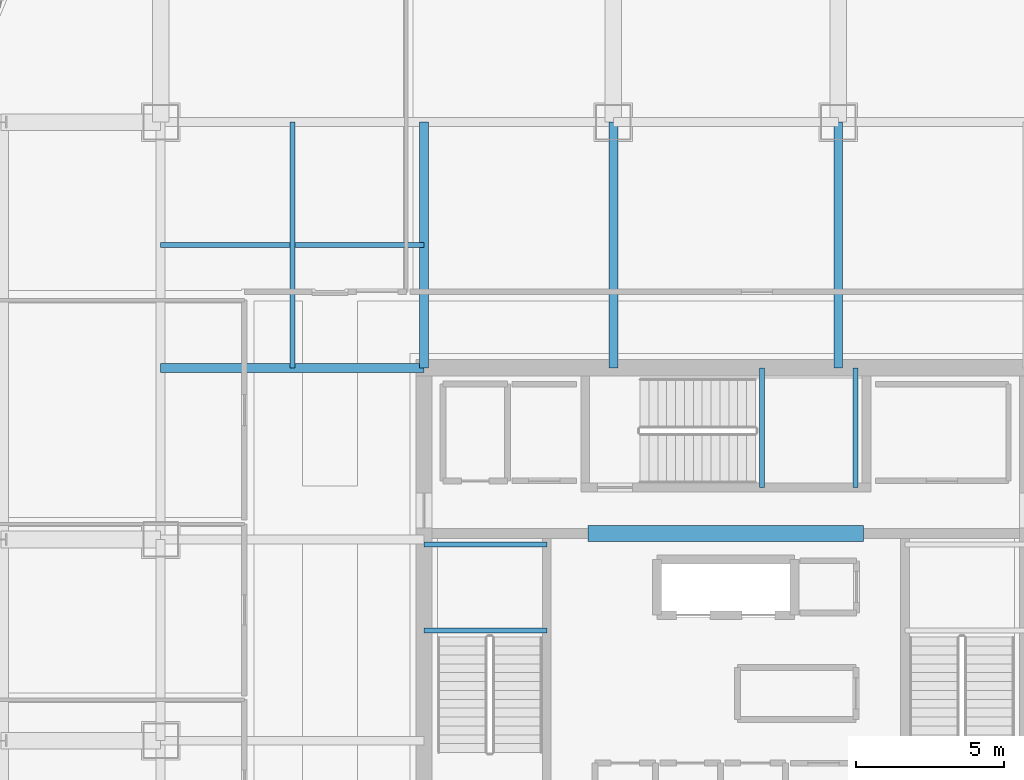
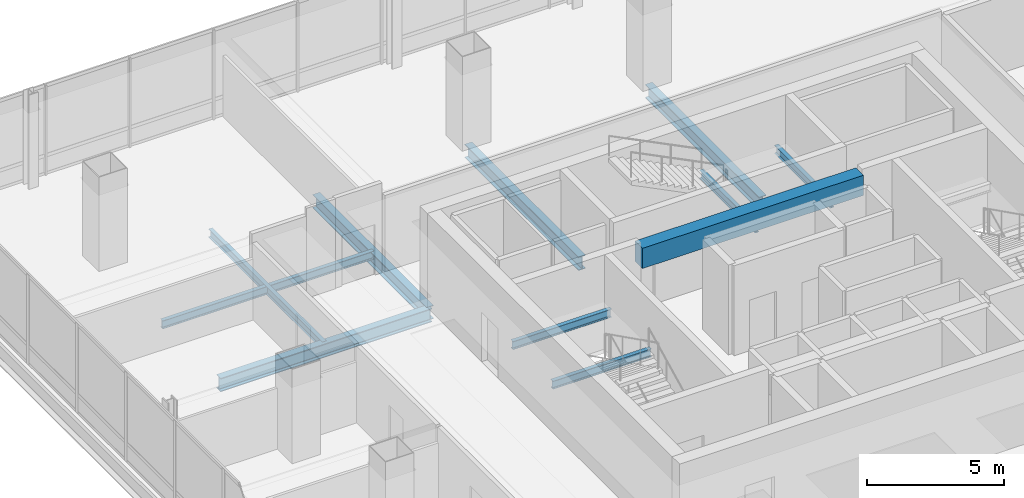
# One storey, part 14 of 42: 11 beams.
"""IFC4 building model written with IfcOpenShell, lengths in metres."""

from ifc_helpers import new_model, si_unit, direction, frame, origin, origin_2d, place, context, subcontext, project, spatial, rectangle, i_section, extrude, material, material_profile, profile_set, type_object, element, save


model = new_model("IFC4")

# Units and contexts
model_context = context("Model", 3, precision=1e-05, world=origin(), true_north=direction((0.0, 1.0)))
body_context = subcontext(model_context, "Body", "Model", "MODEL_VIEW")
ifc_project = project(units=[si_unit("LENGTHUNIT", "METRE"), si_unit("AREAUNIT", "SQUARE_METRE"), si_unit("VOLUMEUNIT", "CUBIC_METRE"), si_unit("PLANEANGLEUNIT", "RADIAN"), si_unit("MASSUNIT", "GRAM", prefix="KILO")], contexts=[model_context])

# Site, building, storey
site_placement = place(None, origin())
site = spatial("IfcSite", under=ifc_project, at=site_placement, CompositionType="ELEMENT")
building_placement = place(site_placement, origin())
building = spatial("IfcBuilding", under=site, at=building_placement, Name="Punatoya Terracotta Tower", CompositionType="ELEMENT")
storey_placement = place(building_placement, frame((0.0, 0.0, 296.39990234375)))
storey = spatial("IfcBuildingStorey", under=building, at=storey_placement, Name="L70", CompositionType="ELEMENT", Elevation=296.39990234375)

# Beams
ifc_material_1 = material(Name="Steel S355", Category="steel")
ifc_material_profile_1 = material_profile(ifc_material_1, i_section(OverallWidth=0.300048828125, OverallDepth=0.60009765625, WebThickness=0.015380859375, FlangeThickness=0.030029296875, FilletRadius=0.01806640625, at=origin_2d()))
ifc_profile_set_1 = profile_set([ifc_material_profile_1], Name="Steel S355")
beam_type_1 = type_object("IfcBeamType", Name="BM-PRI-600", PredefinedType="BEAM", material=ifc_profile_set_1)
beam_1_placement = place(storey_placement, frame((-19.10009765625, 9.199951171875, -0.5), z_axis=(1.0, 0.0, 0.0), x_axis=(0.0, 1.0, 0.0)))
element("IfcBeam", 1, at=beam_1_placement, inside=storey, type_object=beam_type_1, Name="BM-L70-PR-WN", PredefinedType="BEAM", context=body_context, shape_type="SweptSolid", body=[
    extrude(i_section(OverallWidth=0.300048828125, OverallDepth=0.60009765625, WebThickness=0.015380859375, FlangeThickness=0.030029296875, FilletRadius=0.01806640625, at=origin_2d()), origin(), (0.0, 0.0, 1.0), 8.900146484375),
])
for number, where, z_axis, x_axis, name in (
    (2, (-10.199951171875, 9.199951171875, -0.5), (0.0, 1.0, 0.0), (-1.0, 0.0, 0.0), "BM-L70-PR-N1"),
    (3, (-3.800048828125, 9.199951171875, -0.5), (0.0, 1.0, 0.0), (-1.0, 0.0, 0.0), "BM-L70-PR-N2"),
    (4, (3.800048828125, 9.199951171875, -0.5), (0.0, 1.0, 0.0), (-1.0, 0.0, 0.0), "BM-L70-PR-N3"),
):
    element("IfcBeam", number, at=place(storey_placement, frame(where, z_axis=z_axis, x_axis=x_axis)), inside=storey, type_object=beam_type_1, Name=name, PredefinedType="BEAM", context=body_context, shape_type="SweptSolid", body=[
        extrude(i_section(OverallWidth=0.300048828125, OverallDepth=0.60009765625, WebThickness=0.015380859375, FlangeThickness=0.030029296875, FilletRadius=0.01806640625, at=origin_2d()), origin(), (0.0, 0.0, 1.0), 8.300048828125),
    ])
ifc_material_2 = material(Name="Concrete C50/60", Category="concrete")
ifc_material_profile_2 = material_profile(ifc_material_2, rectangle(XDim=0.550048828125, YDim=0.89990234375, at=origin_2d()))
ifc_profile_set_2 = profile_set([ifc_material_profile_2], Name="Concrete C50/60")
beam_type_2 = type_object("IfcBeamType", Name="BM-RC-900", PredefinedType="LINTEL", material=ifc_profile_set_2)
beam_2_placement = place(storey_placement, frame((-4.64990234375, 3.60009765625, 3.550048828125), z_axis=(1.0, 0.0, 0.0), x_axis=(0.0, 1.0, 0.0)))
element("IfcBeam", 5, at=beam_2_placement, inside=storey, type_object=beam_type_2, Name="L70 Core Coupling Lintel CNW", PredefinedType="LINTEL", context=body_context, shape_type="SweptSolid", body=[
    extrude(rectangle(XDim=0.550048828125, YDim=0.89990234375, at=origin_2d()), origin(), (0.0, 0.0, 1.0), 9.2998046875),
])
ifc_material_profile_3 = material_profile(ifc_material_1, i_section(OverallWidth=0.169921875, OverallDepth=0.360107421875, WebThickness=0.008056640625, FlangeThickness=0.0126953125, FilletRadius=0.01806640625, at=origin_2d()))
ifc_profile_set_3 = profile_set([ifc_material_profile_3], Name="Steel S355")
beam_type_3 = type_object("IfcBeamType", Name="BM-SEC-360", PredefinedType="JOIST", material=ifc_profile_set_3)
beam_3_placement = place(storey_placement, frame((-19.10009765625, 13.35009765625, -0.3798828125), z_axis=(1.0, 0.0, 0.0), x_axis=(0.0, 1.0, 0.0)))
element("IfcBeam", 6, at=beam_3_placement, inside=storey, type_object=beam_type_3, Name="BM-L70-SJN-1", PredefinedType="JOIST", context=body_context, shape_type="SweptSolid", body=[
    extrude(i_section(OverallWidth=0.169921875, OverallDepth=0.360107421875, WebThickness=0.008056640625, FlangeThickness=0.0126953125, FilletRadius=0.01806640625, at=origin_2d()), origin(), (0.0, 0.0, 1.0), 8.900146484375),
])
beam_4_placement = place(storey_placement, frame((-14.64990234375, 9.199951171875, -0.3798828125), z_axis=(0.0, 1.0, 0.0), x_axis=(-1.0, 0.0, 0.0)))
element("IfcBeam", 7, at=beam_4_placement, inside=storey, type_object=beam_type_3, Name="BM-L70-SJW-2", PredefinedType="JOIST", context=body_context, shape_type="SweptSolid", body=[
    extrude(i_section(OverallWidth=0.169921875, OverallDepth=0.360107421875, WebThickness=0.008056640625, FlangeThickness=0.0126953125, FilletRadius=0.01806640625, at=origin_2d()), origin(), (0.0, 0.0, 1.0), 8.300048828125),
])
for number, where, z_axis, x_axis, name in (
    (8, (-10.199951171875, 0.320068359375, 1.72021484375), (1.0, 0.0, 0.0), (0.0, 1.0, 0.0), "BM-L70-ST-1-LD1A"),
    (9, (-10.199951171875, 3.22998046875, 1.72021484375), (1.0, 0.0, 0.0), (0.0, 1.0, 0.0), "BM-L70-ST-1-LD1B"),
):
    element("IfcBeam", number, at=place(storey_placement, frame(where, z_axis=z_axis, x_axis=x_axis)), inside=storey, type_object=beam_type_3, Name=name, PredefinedType="JOIST", context=body_context, shape_type="SweptSolid", body=[
        extrude(i_section(OverallWidth=0.169921875, OverallDepth=0.360107421875, WebThickness=0.008056640625, FlangeThickness=0.0126953125, FilletRadius=0.01806640625, at=origin_2d()), origin(), (0.0, 0.0, 1.0), 4.14990234375),
    ])
for number, where, z_axis, x_axis, name in (
    (10, (1.219970703125, 5.14990234375, 1.72021484375), (0.0, 1.0, 0.0), (-1.0, 0.0, 0.0), "BM-L70-ST-3-LD1A"),
    (11, (4.3798828125, 5.14990234375, 1.72021484375), (0.0, 1.0, 0.0), (-1.0, 0.0, 0.0), "BM-L70-ST-3-LD1B"),
):
    element("IfcBeam", number, at=place(storey_placement, frame(where, z_axis=z_axis, x_axis=x_axis)), inside=storey, type_object=beam_type_3, Name=name, PredefinedType="JOIST", context=body_context, shape_type="SweptSolid", body=[
        extrude(i_section(OverallWidth=0.169921875, OverallDepth=0.360107421875, WebThickness=0.008056640625, FlangeThickness=0.0126953125, FilletRadius=0.01806640625, at=origin_2d()), origin(), (0.0, 0.0, 1.0), 4.050048828125),
    ])

save(model, "model.ifc")
